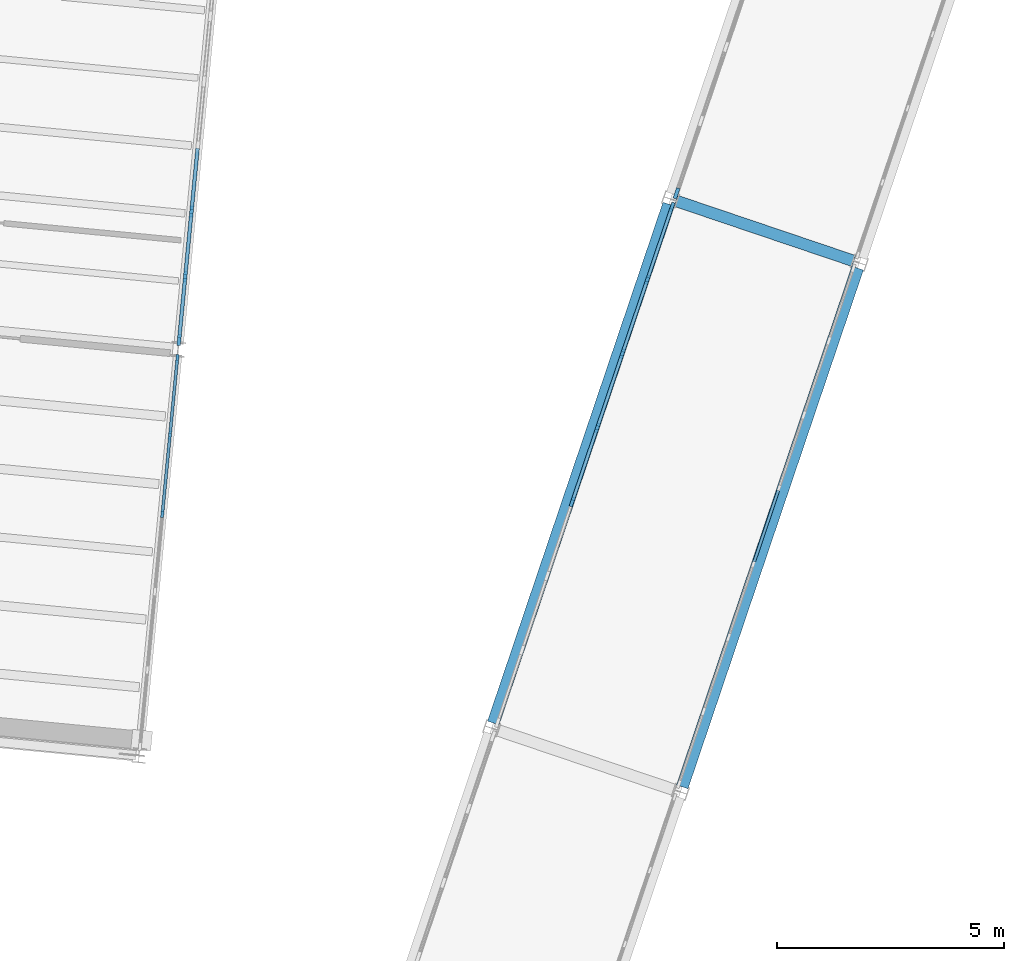
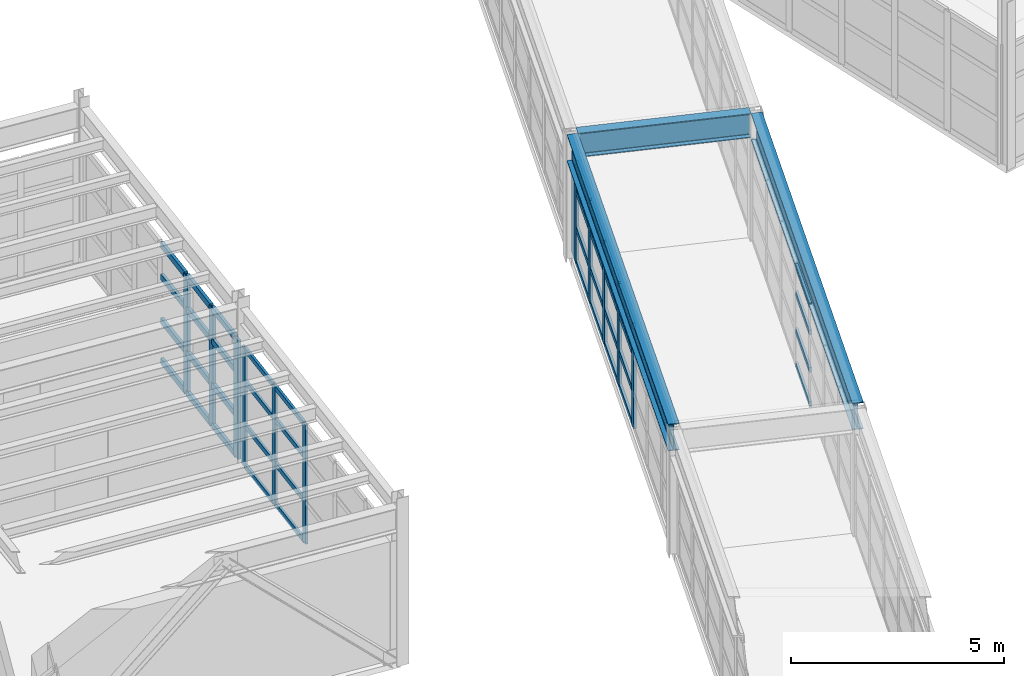
# One storey, part 49 of 102: 52 members, 3 beams, 5 elements without a shape of their own.
"""IFC4 building model written with IfcOpenShell, lengths in metres."""

from ifc_helpers import new_model, si_unit, direction, frame, origin, origin_2d, place, context, subcontext, project, spatial, rectangle, i_section, extrude, material, layer, layer_set, material_profile, profile_set, type_object, element, aggregate, save


model = new_model("IFC4")

# Units and contexts
model_context = context("Model", 3, precision=1e-05, world=origin(), true_north=direction((0.0, 1.0)))
body_context = subcontext(model_context, "Body", "Model", "MODEL_VIEW")
ifc_project = project(units=[si_unit("LENGTHUNIT", "METRE"), si_unit("AREAUNIT", "SQUARE_METRE"), si_unit("VOLUMEUNIT", "CUBIC_METRE"), si_unit("PLANEANGLEUNIT", "RADIAN"), si_unit("MASSUNIT", "GRAM", prefix="KILO")], contexts=[model_context])

# Site, building, storey
site_placement = place(None, origin())
site = spatial("IfcSite", under=ifc_project, at=site_placement, CompositionType="ELEMENT")
building_placement = place(site_placement, origin())
building = spatial("IfcBuilding", under=site, at=building_placement, Name="Vireo Bluff Cable Station", CompositionType="ELEMENT")
storey_placement = place(building_placement, frame((0.0, 0.0, 9.60009765625)))
storey = spatial("IfcBuildingStorey", under=building, at=storey_placement, Name="L02", CompositionType="ELEMENT", Elevation=9.60009765625)

# Curtain wall, members
ifc_material_1 = material(Name="Anodized Aluminium 6063-T6", Category="aluminium")
ifc_layer_1 = layer(ifc_material_1, 0.179931640625, Name="Anodized Aluminium 6063-T6")
ifc_layer_set_1 = layer_set([ifc_layer_1], Name="Anodized Aluminium 6063-T6")
curtain_wall_type_1 = type_object("IfcCurtainWallType", Name="CW-UNIT-1650", PredefinedType="USERDEFINED", material=ifc_layer_set_1)
curtain_wall_1_placement = place(storey_placement, origin())
curtain_wall_1 = element("IfcCurtainWall", 1, at=curtain_wall_1_placement, inside=storey, type_object=curtain_wall_type_1, Name="V3 L02 east curtain wall CW-080", ObjectType="UNITISED CURTAIN WALL", PredefinedType="USERDEFINED")
ifc_material_profile_1 = material_profile(ifc_material_1, rectangle(XDim=0.06494140625, YDim=0.179931640625, at=origin_2d()), Name="ALU-M-65X180")
ifc_profile_set_1 = profile_set([ifc_material_profile_1], Name="Anodized Aluminium 6063-T6")
member_type_1 = type_object("IfcMemberType", Name="CWM-01", PredefinedType="MULLION", material=ifc_profile_set_1)
member_1_placement = place(storey_placement, frame((104.415771484375, 72.31201171875, 0.0), z_axis=(0.0, 0.0, 1.0), x_axis=(0.995396197916, -0.095845757211, 0.0)))
member_1 = element("IfcMember", 2, at=member_1_placement, type_object=member_type_1, Name="CW-080 mullion 1", PredefinedType="MULLION", context=body_context, shape_type="SweptSolid", body=[
    extrude(rectangle(XDim=0.06494140625, YDim=0.179931640625, at=origin_2d()), origin(), (0.0, 0.0, 1.0), 3.39990234375),
])
member_2_placement = place(storey_placement, frame((104.252685546875, 70.61865234375, 0.0), z_axis=(0.0, 0.0, 1.0), x_axis=(0.995396197916, -0.095845757211, 0.0)))
member_2 = element("IfcMember", 3, at=member_2_placement, type_object=member_type_1, Name="CW-080 mullion 2", PredefinedType="MULLION", context=body_context, shape_type="SweptSolid", body=[
    extrude(rectangle(XDim=0.06494140625, YDim=0.179931640625, at=origin_2d()), origin(), (0.0, 0.0, 1.0), 3.39990234375),
])
member_3_placement = place(storey_placement, frame((104.08642578125, 68.89306640625, 0.0), z_axis=(0.0, 0.0, 1.0), x_axis=(0.995396197916, -0.095845757211, 0.0)))
member_3 = element("IfcMember", 4, at=member_3_placement, type_object=member_type_1, Name="CW-080 mullion 3", PredefinedType="MULLION", context=body_context, shape_type="SweptSolid", body=[
    extrude(rectangle(XDim=0.06494140625, YDim=0.179931640625, at=origin_2d()), origin(), (0.0, 0.0, 1.0), 3.39990234375),
])

ifc_layer_2 = layer(ifc_material_1, 0.159912109375, Name="Anodized Aluminium 6063-T6")
ifc_layer_set_2 = layer_set([ifc_layer_2], Name="Anodized Aluminium 6063-T6")
curtain_wall_type_2 = type_object("IfcCurtainWallType", Name="CW-STICK-1850", PredefinedType="USERDEFINED", material=ifc_layer_set_2)
curtain_wall_2_placement = place(storey_placement, origin())
curtain_wall_2 = element("IfcCurtainWall", 5, at=curtain_wall_2_placement, inside=storey, type_object=curtain_wall_type_2, Name="SKYBR L02 HAUL-DRIVE-2R curtain wall CW-149", ObjectType="STICK CURTAIN WALL", PredefinedType="USERDEFINED")
ifc_material_profile_2 = material_profile(ifc_material_1, rectangle(XDim=0.074951171875, YDim=0.2099609375, at=origin_2d()), Name="ALU-M-75X210")
ifc_profile_set_2 = profile_set([ifc_material_profile_2], Name="Anodized Aluminium 6063-T6")
member_type_2 = type_object("IfcMemberType", Name="CWM-02", PredefinedType="MULLION", material=ifc_profile_set_2)
member_4_placement = place(storey_placement, frame((113.125, 69.14794921875, 0.0), z_axis=(0.0, 0.0, 1.0), x_axis=(-0.9472950728, 0.320362365221, 0.0)))
member_4 = element("IfcMember", 6, at=member_4_placement, type_object=member_type_2, Name="CW-149 mullion 4", PredefinedType="MULLION", context=body_context, shape_type="SweptSolid", body=[
    extrude(rectangle(XDim=0.074951171875, YDim=0.2099609375, at=origin_2d()), origin(), (0.0, 0.0, 1.0), 2.8798828125),
])
member_5_placement = place(storey_placement, frame((113.677734375, 70.782470703125, 0.0), z_axis=(0.0, 0.0, 1.0), x_axis=(-0.9472950728, 0.320362365221, 0.0)))
member_5 = element("IfcMember", 7, at=member_5_placement, type_object=member_type_2, Name="CW-149 mullion 5", PredefinedType="MULLION", context=body_context, shape_type="SweptSolid", body=[
    extrude(rectangle(XDim=0.074951171875, YDim=0.2099609375, at=origin_2d()), origin(), (0.0, 0.0, 1.0), 2.8798828125),
])
member_6_placement = place(storey_placement, frame((114.230712890625, 72.417236328125, 0.0), z_axis=(0.0, 0.0, 1.0), x_axis=(-0.9472950728, 0.320362365221, 0.0)))
member_6 = element("IfcMember", 8, at=member_6_placement, type_object=member_type_2, Name="CW-149 mullion 6", PredefinedType="MULLION", context=body_context, shape_type="SweptSolid", body=[
    extrude(rectangle(XDim=0.074951171875, YDim=0.2099609375, at=origin_2d()), origin(), (0.0, 0.0, 1.0), 2.8798828125),
])
member_7_placement = place(storey_placement, frame((114.783447265625, 74.052001953125, 0.0), z_axis=(0.0, 0.0, 1.0), x_axis=(-0.9472950728, 0.320362365221, 0.0)))
member_7 = element("IfcMember", 9, at=member_7_placement, type_object=member_type_2, Name="CW-149 mullion 7", PredefinedType="MULLION", context=body_context, shape_type="SweptSolid", body=[
    extrude(rectangle(XDim=0.074951171875, YDim=0.2099609375, at=origin_2d()), origin(), (0.0, 0.0, 1.0), 2.8798828125),
])
member_8_placement = place(storey_placement, frame((115.32421875, 75.651123046875, 0.0), z_axis=(0.0, 0.0, 1.0), x_axis=(-0.9472950728, 0.320362365221, 0.0)))
member_8 = element("IfcMember", 10, at=member_8_placement, type_object=member_type_2, Name="CW-149 mullion 8", PredefinedType="MULLION", context=body_context, shape_type="SweptSolid", body=[
    extrude(rectangle(XDim=0.074951171875, YDim=0.2099609375, at=origin_2d()), origin(), (0.0, 0.0, 1.0), 2.8798828125),
])

ifc_layer_3 = layer(ifc_material_1, 0.179931640625, Name="Anodized Aluminium 6063-T6")
ifc_layer_set_3 = layer_set([ifc_layer_3], Name="Anodized Aluminium 6063-T6")
curtain_wall_type_3 = type_object("IfcCurtainWallType", Name="CW-UNIT-1500", PredefinedType="USERDEFINED", material=ifc_layer_set_3)
curtain_wall_3_placement = place(storey_placement, origin())
curtain_wall_3 = element("IfcCurtainWall", 11, at=curtain_wall_3_placement, inside=storey, type_object=curtain_wall_type_3, Name="V3 L02 east curtain wall CW-079", ObjectType="UNITISED CURTAIN WALL", PredefinedType="USERDEFINED")
ifc_material_profile_3 = material_profile(ifc_material_1, rectangle(XDim=0.080078125, YDim=0.239990234375, at=origin_2d()), Name="ALU-M-80X240")
ifc_profile_set_3 = profile_set([ifc_material_profile_3], Name="Anodized Aluminium 6063-T6")
member_type_3 = type_object("IfcMemberType", Name="CWM-04", PredefinedType="MULLION", material=ifc_profile_set_3)
member_9_placement = place(storey_placement, frame((104.7275390625, 75.55078125, 0.0), z_axis=(0.0, 0.0, 1.0), x_axis=(0.995396201313, -0.095845721926, 0.0)))
member_9 = element("IfcMember", 12, at=member_9_placement, type_object=member_type_3, Name="CW-079 mullion 5", PredefinedType="MULLION", context=body_context, shape_type="SweptSolid", body=[
    extrude(rectangle(XDim=0.080078125, YDim=0.239990234375, at=origin_2d()), origin(), (0.0, 0.0, 1.0), 3.39990234375),
])
member_10_placement = place(storey_placement, frame((104.58935546875, 74.115234375, 0.0), z_axis=(0.0, 0.0, 1.0), x_axis=(0.995396201313, -0.095845721926, 0.0)))
member_10 = element("IfcMember", 13, at=member_10_placement, type_object=member_type_3, Name="CW-079 mullion 6", PredefinedType="MULLION", context=body_context, shape_type="SweptSolid", body=[
    extrude(rectangle(XDim=0.080078125, YDim=0.239990234375, at=origin_2d()), origin(), (0.0, 0.0, 1.0), 3.39990234375),
])
member_11_placement = place(storey_placement, frame((104.454833984375, 72.719482421875, 0.0), z_axis=(0.0, 0.0, 1.0), x_axis=(0.995396201313, -0.095845721926, 0.0)))
member_11 = element("IfcMember", 14, at=member_11_placement, type_object=member_type_3, Name="CW-079 mullion 7", PredefinedType="MULLION", context=body_context, shape_type="SweptSolid", body=[
    extrude(rectangle(XDim=0.080078125, YDim=0.239990234375, at=origin_2d()), origin(), (0.0, 0.0, 1.0), 3.39990234375),
])

# Curtain wall, member
curtain_wall_4_placement = place(storey_placement, origin())
curtain_wall_4 = element("IfcCurtainWall", 15, at=curtain_wall_4_placement, inside=storey, type_object=curtain_wall_type_2, Name="SKYBR L02 HAUL-DRIVE-3R curtain wall CW-151", ObjectType="STICK CURTAIN WALL", PredefinedType="USERDEFINED")
member_12_placement = place(storey_placement, frame((115.426025390625, 75.951904296875, 0.0), z_axis=(0.0, 0.0, 1.0), x_axis=(-0.947297996715, 0.320353719222, 0.0)))
member_12 = element("IfcMember", 16, at=member_12_placement, type_object=member_type_3, Name="CW-151 mullion 1", PredefinedType="MULLION", context=body_context, shape_type="SweptSolid", body=[
    extrude(rectangle(XDim=0.080078125, YDim=0.239990234375, at=origin_2d()), origin(), (0.0, 0.0, 1.0), 2.8798828125),
])
aggregate(curtain_wall_4, [member_12])

# Member
ifc_material_profile_4 = material_profile(ifc_material_1, rectangle(XDim=0.06494140625, YDim=0.139892578125, at=origin_2d()), Name="ALU-T-65X140")
ifc_profile_set_4 = profile_set([ifc_material_profile_4], Name="Anodized Aluminium 6063-T6")
member_type_4 = type_object("IfcMemberType", Name="CWT-01", PredefinedType="USERDEFINED", material=ifc_profile_set_4)
member_13_placement = place(storey_placement, frame((104.41259765625, 72.279541015625, 0.032470703125), z_axis=(-0.095809089258, -0.995399727956, 0.0), x_axis=(0.995399727956, -0.095809089258, 0.0)))
member_13 = element("IfcMember", 17, at=member_13_placement, type_object=member_type_4, Name="CW-080 transom 1.1", ObjectType="TRANSOM", PredefinedType="USERDEFINED", context=body_context, shape_type="SweptSolid", body=[
    extrude(rectangle(XDim=0.06494140625, YDim=0.139892578125, at=origin_2d()), origin(), (0.0, 0.0, 1.0), 1.635986328125),
])

member_14_placement = place(storey_placement, frame((104.41259765625, 72.279541015625, 1.18994140625), z_axis=(-0.095809089258, -0.995399727956, 0.0), x_axis=(0.995399727956, -0.095809089258, 0.0)))
member_14 = element("IfcMember", 18, at=member_14_placement, type_object=member_type_4, Name="CW-080 transom 1.2", ObjectType="TRANSOM", PredefinedType="USERDEFINED", context=body_context, shape_type="SweptSolid", body=[
    extrude(rectangle(XDim=0.06494140625, YDim=0.139892578125, at=origin_2d()), origin(), (0.0, 0.0, 1.0), 1.635986328125),
])

member_15_placement = place(storey_placement, frame((104.41259765625, 72.279541015625, 2.447998046875), z_axis=(-0.095809089258, -0.995399727956, 0.0), x_axis=(0.995399727956, -0.095809089258, 0.0)))
member_15 = element("IfcMember", 19, at=member_15_placement, type_object=member_type_4, Name="CW-080 transom 1.3", ObjectType="TRANSOM", PredefinedType="USERDEFINED", context=body_context, shape_type="SweptSolid", body=[
    extrude(rectangle(XDim=0.06494140625, YDim=0.139892578125, at=origin_2d()), origin(), (0.0, 0.0, 1.0), 1.635986328125),
])

member_16_placement = place(storey_placement, frame((104.41259765625, 72.279541015625, 3.367431640625), z_axis=(-0.095809089258, -0.995399727956, 0.0), x_axis=(0.995399727956, -0.095809089258, 0.0)))
member_16 = element("IfcMember", 20, at=member_16_placement, type_object=member_type_4, Name="CW-080 transom 1.4", ObjectType="TRANSOM", PredefinedType="USERDEFINED", context=body_context, shape_type="SweptSolid", body=[
    extrude(rectangle(XDim=0.06494140625, YDim=0.139892578125, at=origin_2d()), origin(), (0.0, 0.0, 1.0), 1.635986328125),
])

member_17_placement = place(storey_placement, frame((104.24951171875, 70.586181640625, 0.032470703125), z_axis=(-0.095837866715, -0.995396957652, 0.0), x_axis=(0.995396957652, -0.095837866715, 0.0)))
member_17 = element("IfcMember", 21, at=member_17_placement, type_object=member_type_4, Name="CW-080 transom 2.1", ObjectType="TRANSOM", PredefinedType="USERDEFINED", context=body_context, shape_type="SweptSolid", body=[
    extrude(rectangle(XDim=0.06494140625, YDim=0.139892578125, at=origin_2d()), origin(), (0.0, 0.0, 1.0), 1.66845703125),
])

member_18_placement = place(storey_placement, frame((104.24951171875, 70.586181640625, 1.18994140625), z_axis=(-0.095837866715, -0.995396957652, 0.0), x_axis=(0.995396957652, -0.095837866715, 0.0)))
member_18 = element("IfcMember", 22, at=member_18_placement, type_object=member_type_4, Name="CW-080 transom 2.2", ObjectType="TRANSOM", PredefinedType="USERDEFINED", context=body_context, shape_type="SweptSolid", body=[
    extrude(rectangle(XDim=0.06494140625, YDim=0.139892578125, at=origin_2d()), origin(), (0.0, 0.0, 1.0), 1.66845703125),
])

member_19_placement = place(storey_placement, frame((104.24951171875, 70.586181640625, 2.447998046875), z_axis=(-0.095837866715, -0.995396957652, 0.0), x_axis=(0.995396957652, -0.095837866715, 0.0)))
member_19 = element("IfcMember", 23, at=member_19_placement, type_object=member_type_4, Name="CW-080 transom 2.3", ObjectType="TRANSOM", PredefinedType="USERDEFINED", context=body_context, shape_type="SweptSolid", body=[
    extrude(rectangle(XDim=0.06494140625, YDim=0.139892578125, at=origin_2d()), origin(), (0.0, 0.0, 1.0), 1.66845703125),
])

member_20_placement = place(storey_placement, frame((104.24951171875, 70.586181640625, 3.367431640625), z_axis=(-0.095837866715, -0.995396957652, 0.0), x_axis=(0.995396957652, -0.095837866715, 0.0)))
member_20 = element("IfcMember", 24, at=member_20_placement, type_object=member_type_4, Name="CW-080 transom 2.4", ObjectType="TRANSOM", PredefinedType="USERDEFINED", context=body_context, shape_type="SweptSolid", body=[
    extrude(rectangle(XDim=0.06494140625, YDim=0.139892578125, at=origin_2d()), origin(), (0.0, 0.0, 1.0), 1.66845703125),
])

aggregate(curtain_wall_1, [member_1, member_2, member_3, member_13, member_14, member_15, member_16, member_17, member_18, member_19, member_20])

# Curtain wall, members
ifc_layer_4 = layer(ifc_material_1, 0.159912109375, Name="Anodized Aluminium 6063-T6")
ifc_layer_set_4 = layer_set([ifc_layer_4], Name="Anodized Aluminium 6063-T6")
curtain_wall_type_4 = type_object("IfcCurtainWallType", Name="CW-STICK-1750", PredefinedType="USERDEFINED", material=ifc_layer_set_4)
curtain_wall_5_placement = place(storey_placement, origin())
curtain_wall_5 = element("IfcCurtainWall", 25, at=curtain_wall_5_placement, inside=storey, type_object=curtain_wall_type_4, Name="SKYBR L02 HAUL-DRIVE-2L curtain wall CW-148", ObjectType="STICK CURTAIN WALL", PredefinedType="USERDEFINED")
member_21_placement = place(storey_placement, frame((117.13671875, 67.825439453125, 0.032470703125), z_axis=(0.320370895193, 0.947292188036, 0.0), x_axis=(-0.947292188036, 0.320370895193, 0.0)))
member_21 = element("IfcMember", 26, at=member_21_placement, type_object=member_type_4, Name="CW-148 transom 4.1", ObjectType="TRANSOM", PredefinedType="USERDEFINED", context=body_context, shape_type="SweptSolid", body=[
    extrude(rectangle(XDim=0.06494140625, YDim=0.139892578125, at=origin_2d()), origin(), (0.0, 0.0, 1.0), 1.660400390625),
])
member_22_placement = place(storey_placement, frame((117.13671875, 67.825439453125, 1.0078125), z_axis=(0.320370895193, 0.947292188036, 0.0), x_axis=(-0.947292188036, 0.320370895193, 0.0)))
member_22 = element("IfcMember", 27, at=member_22_placement, type_object=member_type_4, Name="CW-148 transom 4.2", ObjectType="TRANSOM", PredefinedType="USERDEFINED", context=body_context, shape_type="SweptSolid", body=[
    extrude(rectangle(XDim=0.06494140625, YDim=0.139892578125, at=origin_2d()), origin(), (0.0, 0.0, 1.0), 1.660400390625),
])
member_23_placement = place(storey_placement, frame((117.13671875, 67.825439453125, 2.073486328125), z_axis=(0.320370895193, 0.947292188036, 0.0), x_axis=(-0.947292188036, 0.320370895193, 0.0)))
member_23 = element("IfcMember", 28, at=member_23_placement, type_object=member_type_4, Name="CW-148 transom 4.3", ObjectType="TRANSOM", PredefinedType="USERDEFINED", context=body_context, shape_type="SweptSolid", body=[
    extrude(rectangle(XDim=0.06494140625, YDim=0.139892578125, at=origin_2d()), origin(), (0.0, 0.0, 1.0), 1.660400390625),
])
member_24_placement = place(storey_placement, frame((117.13671875, 67.825439453125, 2.847412109375), z_axis=(0.320370895193, 0.947292188036, 0.0), x_axis=(-0.947292188036, 0.320370895193, 0.0)))
member_24 = element("IfcMember", 29, at=member_24_placement, type_object=member_type_4, Name="CW-148 transom 4.4", ObjectType="TRANSOM", PredefinedType="USERDEFINED", context=body_context, shape_type="SweptSolid", body=[
    extrude(rectangle(XDim=0.06494140625, YDim=0.139892578125, at=origin_2d()), origin(), (0.0, 0.0, 1.0), 1.660400390625),
])
aggregate(curtain_wall_5, [member_21, member_22, member_23, member_24])

# Member
ifc_material_profile_5 = material_profile(ifc_material_1, rectangle(XDim=0.074951171875, YDim=0.159912109375, at=origin_2d()), Name="ALU-T-75X160")
ifc_profile_set_5 = profile_set([ifc_material_profile_5], Name="Anodized Aluminium 6063-T6")
member_type_5 = type_object("IfcMemberType", Name="CWT-02", PredefinedType="USERDEFINED", material=ifc_profile_set_5)
member_25_placement = place(storey_placement, frame((113.136962890625, 69.183349609375, 0.037353515625), z_axis=(0.320351181812, 0.947298854803, 0.0), x_axis=(-0.947298854803, 0.320351181812, 0.0)))
member_25 = element("IfcMember", 30, at=member_25_placement, type_object=member_type_5, Name="CW-149 transom 4.1", ObjectType="TRANSOM", PredefinedType="USERDEFINED", context=body_context, shape_type="SweptSolid", body=[
    extrude(rectangle(XDim=0.074951171875, YDim=0.159912109375, at=origin_2d()), origin(), (0.0, 0.0, 1.0), 1.650634765625),
])

member_26_placement = place(storey_placement, frame((113.136962890625, 69.183349609375, 1.0078125), z_axis=(0.320351181812, 0.947298854803, 0.0), x_axis=(-0.947298854803, 0.320351181812, 0.0)))
member_26 = element("IfcMember", 31, at=member_26_placement, type_object=member_type_5, Name="CW-149 transom 4.2", ObjectType="TRANSOM", PredefinedType="USERDEFINED", context=body_context, shape_type="SweptSolid", body=[
    extrude(rectangle(XDim=0.074951171875, YDim=0.159912109375, at=origin_2d()), origin(), (0.0, 0.0, 1.0), 1.650634765625),
])

member_27_placement = place(storey_placement, frame((113.136962890625, 69.183349609375, 2.073486328125), z_axis=(0.320351181812, 0.947298854803, 0.0), x_axis=(-0.947298854803, 0.320351181812, 0.0)))
member_27 = element("IfcMember", 32, at=member_27_placement, type_object=member_type_5, Name="CW-149 transom 4.3", ObjectType="TRANSOM", PredefinedType="USERDEFINED", context=body_context, shape_type="SweptSolid", body=[
    extrude(rectangle(XDim=0.074951171875, YDim=0.159912109375, at=origin_2d()), origin(), (0.0, 0.0, 1.0), 1.650634765625),
])

member_28_placement = place(storey_placement, frame((113.136962890625, 69.183349609375, 2.84228515625), z_axis=(0.320351181812, 0.947298854803, 0.0), x_axis=(-0.947298854803, 0.320351181812, 0.0)))
member_28 = element("IfcMember", 33, at=member_28_placement, type_object=member_type_5, Name="CW-149 transom 4.4", ObjectType="TRANSOM", PredefinedType="USERDEFINED", context=body_context, shape_type="SweptSolid", body=[
    extrude(rectangle(XDim=0.074951171875, YDim=0.159912109375, at=origin_2d()), origin(), (0.0, 0.0, 1.0), 1.650634765625),
])

member_29_placement = place(storey_placement, frame((113.68994140625, 70.818115234375, 0.037353515625), z_axis=(0.320396070673, 0.947283673404, 0.0), x_axis=(-0.947283673404, 0.320396070673, 0.0)))
member_29 = element("IfcMember", 34, at=member_29_placement, type_object=member_type_5, Name="CW-149 transom 5.1", ObjectType="TRANSOM", PredefinedType="USERDEFINED", context=body_context, shape_type="SweptSolid", body=[
    extrude(rectangle(XDim=0.074951171875, YDim=0.159912109375, at=origin_2d()), origin(), (0.0, 0.0, 1.0), 1.650390625),
])

member_30_placement = place(storey_placement, frame((113.68994140625, 70.818115234375, 1.0078125), z_axis=(0.320396070673, 0.947283673404, 0.0), x_axis=(-0.947283673404, 0.320396070673, 0.0)))
member_30 = element("IfcMember", 35, at=member_30_placement, type_object=member_type_5, Name="CW-149 transom 5.2", ObjectType="TRANSOM", PredefinedType="USERDEFINED", context=body_context, shape_type="SweptSolid", body=[
    extrude(rectangle(XDim=0.074951171875, YDim=0.159912109375, at=origin_2d()), origin(), (0.0, 0.0, 1.0), 1.650390625),
])

member_31_placement = place(storey_placement, frame((113.68994140625, 70.818115234375, 2.073486328125), z_axis=(0.320396070673, 0.947283673404, 0.0), x_axis=(-0.947283673404, 0.320396070673, 0.0)))
member_31 = element("IfcMember", 36, at=member_31_placement, type_object=member_type_5, Name="CW-149 transom 5.3", ObjectType="TRANSOM", PredefinedType="USERDEFINED", context=body_context, shape_type="SweptSolid", body=[
    extrude(rectangle(XDim=0.074951171875, YDim=0.159912109375, at=origin_2d()), origin(), (0.0, 0.0, 1.0), 1.650390625),
])

member_32_placement = place(storey_placement, frame((113.68994140625, 70.818115234375, 2.84228515625), z_axis=(0.320396070673, 0.947283673404, 0.0), x_axis=(-0.947283673404, 0.320396070673, 0.0)))
member_32 = element("IfcMember", 37, at=member_32_placement, type_object=member_type_5, Name="CW-149 transom 5.4", ObjectType="TRANSOM", PredefinedType="USERDEFINED", context=body_context, shape_type="SweptSolid", body=[
    extrude(rectangle(XDim=0.074951171875, YDim=0.159912109375, at=origin_2d()), origin(), (0.0, 0.0, 1.0), 1.650390625),
])

member_33_placement = place(storey_placement, frame((114.24267578125, 72.45263671875, 0.037353515625), z_axis=(0.320351181812, 0.947298854803, 0.0), x_axis=(-0.947298854803, 0.320351181812, 0.0)))
member_33 = element("IfcMember", 38, at=member_33_placement, type_object=member_type_5, Name="CW-149 transom 6.1", ObjectType="TRANSOM", PredefinedType="USERDEFINED", context=body_context, shape_type="SweptSolid", body=[
    extrude(rectangle(XDim=0.074951171875, YDim=0.159912109375, at=origin_2d()), origin(), (0.0, 0.0, 1.0), 1.650634765625),
])

member_34_placement = place(storey_placement, frame((114.24267578125, 72.45263671875, 1.0078125), z_axis=(0.320351181812, 0.947298854803, 0.0), x_axis=(-0.947298854803, 0.320351181812, 0.0)))
member_34 = element("IfcMember", 39, at=member_34_placement, type_object=member_type_5, Name="CW-149 transom 6.2", ObjectType="TRANSOM", PredefinedType="USERDEFINED", context=body_context, shape_type="SweptSolid", body=[
    extrude(rectangle(XDim=0.074951171875, YDim=0.159912109375, at=origin_2d()), origin(), (0.0, 0.0, 1.0), 1.650634765625),
])

member_35_placement = place(storey_placement, frame((114.24267578125, 72.45263671875, 2.073486328125), z_axis=(0.320351181812, 0.947298854803, 0.0), x_axis=(-0.947298854803, 0.320351181812, 0.0)))
member_35 = element("IfcMember", 40, at=member_35_placement, type_object=member_type_5, Name="CW-149 transom 6.3", ObjectType="TRANSOM", PredefinedType="USERDEFINED", context=body_context, shape_type="SweptSolid", body=[
    extrude(rectangle(XDim=0.074951171875, YDim=0.159912109375, at=origin_2d()), origin(), (0.0, 0.0, 1.0), 1.650634765625),
])

member_36_placement = place(storey_placement, frame((114.24267578125, 72.45263671875, 2.84228515625), z_axis=(0.320351181812, 0.947298854803, 0.0), x_axis=(-0.947298854803, 0.320351181812, 0.0)))
member_36 = element("IfcMember", 41, at=member_36_placement, type_object=member_type_5, Name="CW-149 transom 6.4", ObjectType="TRANSOM", PredefinedType="USERDEFINED", context=body_context, shape_type="SweptSolid", body=[
    extrude(rectangle(XDim=0.074951171875, YDim=0.159912109375, at=origin_2d()), origin(), (0.0, 0.0, 1.0), 1.650634765625),
])

member_37_placement = place(storey_placement, frame((114.79541015625, 74.08740234375, 0.037353515625), z_axis=(0.320401881435, 0.947281708032, 0.0), x_axis=(-0.947281708032, 0.320401881435, 0.0)))
member_37 = element("IfcMember", 42, at=member_37_placement, type_object=member_type_5, Name="CW-149 transom 7.1", ObjectType="TRANSOM", PredefinedType="USERDEFINED", context=body_context, shape_type="SweptSolid", body=[
    extrude(rectangle(XDim=0.074951171875, YDim=0.159912109375, at=origin_2d()), origin(), (0.0, 0.0, 1.0), 1.613037109375),
])

member_38_placement = place(storey_placement, frame((114.79541015625, 74.08740234375, 1.0078125), z_axis=(0.320401881435, 0.947281708032, 0.0), x_axis=(-0.947281708032, 0.320401881435, 0.0)))
member_38 = element("IfcMember", 43, at=member_38_placement, type_object=member_type_5, Name="CW-149 transom 7.2", ObjectType="TRANSOM", PredefinedType="USERDEFINED", context=body_context, shape_type="SweptSolid", body=[
    extrude(rectangle(XDim=0.074951171875, YDim=0.159912109375, at=origin_2d()), origin(), (0.0, 0.0, 1.0), 1.613037109375),
])

member_39_placement = place(storey_placement, frame((114.79541015625, 74.08740234375, 2.073486328125), z_axis=(0.320401881435, 0.947281708032, 0.0), x_axis=(-0.947281708032, 0.320401881435, 0.0)))
member_39 = element("IfcMember", 44, at=member_39_placement, type_object=member_type_5, Name="CW-149 transom 7.3", ObjectType="TRANSOM", PredefinedType="USERDEFINED", context=body_context, shape_type="SweptSolid", body=[
    extrude(rectangle(XDim=0.074951171875, YDim=0.159912109375, at=origin_2d()), origin(), (0.0, 0.0, 1.0), 1.613037109375),
])

member_40_placement = place(storey_placement, frame((114.79541015625, 74.08740234375, 2.84228515625), z_axis=(0.320401881435, 0.947281708032, 0.0), x_axis=(-0.947281708032, 0.320401881435, 0.0)))
member_40 = element("IfcMember", 45, at=member_40_placement, type_object=member_type_5, Name="CW-149 transom 7.4", ObjectType="TRANSOM", PredefinedType="USERDEFINED", context=body_context, shape_type="SweptSolid", body=[
    extrude(rectangle(XDim=0.074951171875, YDim=0.159912109375, at=origin_2d()), origin(), (0.0, 0.0, 1.0), 1.613037109375),
])

aggregate(curtain_wall_2, [member_4, member_5, member_6, member_7, member_8, member_25, member_26, member_27, member_28, member_29, member_30, member_31, member_32, member_33, member_34, member_35, member_36, member_37, member_38, member_39, member_40])

ifc_material_profile_6 = material_profile(ifc_material_1, rectangle(XDim=0.080078125, YDim=0.175048828125, at=origin_2d()), Name="ALU-T-80X175")
ifc_profile_set_6 = profile_set([ifc_material_profile_6], Name="Anodized Aluminium 6063-T6")
member_type_6 = type_object("IfcMemberType", Name="CWT-04", PredefinedType="USERDEFINED", material=ifc_profile_set_6)
member_41_placement = place(storey_placement, frame((104.862060546875, 76.946533203125, 0.039794921875), z_axis=(-0.095883154305, -0.995392596276, 0.0), x_axis=(0.995392596276, -0.095883154305, 0.0)))
member_41 = element("IfcMember", 46, at=member_41_placement, type_object=member_type_6, Name="CW-079 transom 4.1", ObjectType="TRANSOM", PredefinedType="USERDEFINED", context=body_context, shape_type="SweptSolid", body=[
    extrude(rectangle(XDim=0.080078125, YDim=0.175048828125, at=origin_2d()), origin(), (0.0, 0.0, 1.0), 1.3623046875),
])

member_42_placement = place(storey_placement, frame((104.862060546875, 76.946533203125, 1.18994140625), z_axis=(-0.095883154305, -0.995392596276, 0.0), x_axis=(0.995392596276, -0.095883154305, 0.0)))
member_42 = element("IfcMember", 47, at=member_42_placement, type_object=member_type_6, Name="CW-079 transom 4.2", ObjectType="TRANSOM", PredefinedType="USERDEFINED", context=body_context, shape_type="SweptSolid", body=[
    extrude(rectangle(XDim=0.080078125, YDim=0.175048828125, at=origin_2d()), origin(), (0.0, 0.0, 1.0), 1.3623046875),
])

member_43_placement = place(storey_placement, frame((104.862060546875, 76.946533203125, 2.447998046875), z_axis=(-0.095883154305, -0.995392596276, 0.0), x_axis=(0.995392596276, -0.095883154305, 0.0)))
member_43 = element("IfcMember", 48, at=member_43_placement, type_object=member_type_6, Name="CW-079 transom 4.3", ObjectType="TRANSOM", PredefinedType="USERDEFINED", context=body_context, shape_type="SweptSolid", body=[
    extrude(rectangle(XDim=0.080078125, YDim=0.175048828125, at=origin_2d()), origin(), (0.0, 0.0, 1.0), 1.3623046875),
])

member_44_placement = place(storey_placement, frame((104.862060546875, 76.946533203125, 3.35986328125), z_axis=(-0.095883154305, -0.995392596276, 0.0), x_axis=(0.995392596276, -0.095883154305, 0.0)))
member_44 = element("IfcMember", 49, at=member_44_placement, type_object=member_type_6, Name="CW-079 transom 4.4", ObjectType="TRANSOM", PredefinedType="USERDEFINED", context=body_context, shape_type="SweptSolid", body=[
    extrude(rectangle(XDim=0.080078125, YDim=0.175048828125, at=origin_2d()), origin(), (0.0, 0.0, 1.0), 1.3623046875),
])

member_45_placement = place(storey_placement, frame((104.7236328125, 75.510986328125, 0.039794921875), z_axis=(-0.095705576562, -0.995409685815, 0.0), x_axis=(0.995409685815, -0.095705576562, 0.0)))
member_45 = element("IfcMember", 50, at=member_45_placement, type_object=member_type_6, Name="CW-079 transom 5.1", ObjectType="TRANSOM", PredefinedType="USERDEFINED", context=body_context, shape_type="SweptSolid", body=[
    extrude(rectangle(XDim=0.080078125, YDim=0.175048828125, at=origin_2d()), origin(), (0.0, 0.0, 1.0), 1.3623046875),
])

member_46_placement = place(storey_placement, frame((104.7236328125, 75.510986328125, 1.18994140625), z_axis=(-0.095705576562, -0.995409685815, 0.0), x_axis=(0.995409685815, -0.095705576562, 0.0)))
member_46 = element("IfcMember", 51, at=member_46_placement, type_object=member_type_6, Name="CW-079 transom 5.2", ObjectType="TRANSOM", PredefinedType="USERDEFINED", context=body_context, shape_type="SweptSolid", body=[
    extrude(rectangle(XDim=0.080078125, YDim=0.175048828125, at=origin_2d()), origin(), (0.0, 0.0, 1.0), 1.3623046875),
])

member_47_placement = place(storey_placement, frame((104.7236328125, 75.510986328125, 2.447998046875), z_axis=(-0.095705576562, -0.995409685815, 0.0), x_axis=(0.995409685815, -0.095705576562, 0.0)))
member_47 = element("IfcMember", 52, at=member_47_placement, type_object=member_type_6, Name="CW-079 transom 5.3", ObjectType="TRANSOM", PredefinedType="USERDEFINED", context=body_context, shape_type="SweptSolid", body=[
    extrude(rectangle(XDim=0.080078125, YDim=0.175048828125, at=origin_2d()), origin(), (0.0, 0.0, 1.0), 1.3623046875),
])

member_48_placement = place(storey_placement, frame((104.7236328125, 75.510986328125, 3.35986328125), z_axis=(-0.095705576562, -0.995409685815, 0.0), x_axis=(0.995409685815, -0.095705576562, 0.0)))
member_48 = element("IfcMember", 53, at=member_48_placement, type_object=member_type_6, Name="CW-079 transom 5.4", ObjectType="TRANSOM", PredefinedType="USERDEFINED", context=body_context, shape_type="SweptSolid", body=[
    extrude(rectangle(XDim=0.080078125, YDim=0.175048828125, at=origin_2d()), origin(), (0.0, 0.0, 1.0), 1.3623046875),
])

member_49_placement = place(storey_placement, frame((104.58544921875, 74.075439453125, 0.039794921875), z_axis=(-0.095828508372, -0.995397858639, 0.0), x_axis=(0.995397858639, -0.095828508372, 0.0)))
member_49 = element("IfcMember", 54, at=member_49_placement, type_object=member_type_6, Name="CW-079 transom 6.1", ObjectType="TRANSOM", PredefinedType="USERDEFINED", context=body_context, shape_type="SweptSolid", body=[
    extrude(rectangle(XDim=0.080078125, YDim=0.175048828125, at=origin_2d()), origin(), (0.0, 0.0, 1.0), 1.322265625),
])

member_50_placement = place(storey_placement, frame((104.58544921875, 74.075439453125, 1.18994140625), z_axis=(-0.095828508372, -0.995397858639, 0.0), x_axis=(0.995397858639, -0.095828508372, 0.0)))
member_50 = element("IfcMember", 55, at=member_50_placement, type_object=member_type_6, Name="CW-079 transom 6.2", ObjectType="TRANSOM", PredefinedType="USERDEFINED", context=body_context, shape_type="SweptSolid", body=[
    extrude(rectangle(XDim=0.080078125, YDim=0.175048828125, at=origin_2d()), origin(), (0.0, 0.0, 1.0), 1.322265625),
])

member_51_placement = place(storey_placement, frame((104.58544921875, 74.075439453125, 2.447998046875), z_axis=(-0.095828508372, -0.995397858639, 0.0), x_axis=(0.995397858639, -0.095828508372, 0.0)))
member_51 = element("IfcMember", 56, at=member_51_placement, type_object=member_type_6, Name="CW-079 transom 6.3", ObjectType="TRANSOM", PredefinedType="USERDEFINED", context=body_context, shape_type="SweptSolid", body=[
    extrude(rectangle(XDim=0.080078125, YDim=0.175048828125, at=origin_2d()), origin(), (0.0, 0.0, 1.0), 1.322265625),
])

member_52_placement = place(storey_placement, frame((104.58544921875, 74.075439453125, 3.35986328125), z_axis=(-0.095828508372, -0.995397858639, 0.0), x_axis=(0.995397858639, -0.095828508372, 0.0)))
member_52 = element("IfcMember", 57, at=member_52_placement, type_object=member_type_6, Name="CW-079 transom 6.4", ObjectType="TRANSOM", PredefinedType="USERDEFINED", context=body_context, shape_type="SweptSolid", body=[
    extrude(rectangle(XDim=0.080078125, YDim=0.175048828125, at=origin_2d()), origin(), (0.0, 0.0, 1.0), 1.322265625),
])

aggregate(curtain_wall_3, [member_9, member_10, member_11, member_41, member_42, member_43, member_44, member_45, member_46, member_47, member_48, member_49, member_50, member_51, member_52])

# Beams
ifc_material_2 = material(Name="Steel ASTM A992 Gr. 50", Category="steel")
ifc_material_profile_7 = material_profile(ifc_material_2, i_section(OverallWidth=0.257080078125, OverallDepth=0.693115234375, WebThickness=0.014404296875, FlangeThickness=0.023681640625, FilletRadius=0.014892578125, at=origin_2d()), Name="W27X114")
ifc_profile_set_7 = profile_set([ifc_material_profile_7], Name="Steel ASTM A992 Gr. 50")
beam_type_1 = type_object("IfcBeamType", Name="EXTGIR-W27X114", PredefinedType="USERDEFINED", material=ifc_profile_set_7)
beam_placement = place(storey_placement, frame((119.33447265625, 74.461181640625, 3.284912109375), z_axis=(-0.947298947098, 0.320350908892, 0.0), x_axis=(-0.320350908892, -0.947298947098, 0.0)))
element("IfcBeam", 58, at=beam_placement, inside=storey, type_object=beam_type_1, Name="HAUL-DRIVE skybridge bent cap 3 L02", ObjectType="GIRDER", PredefinedType="USERDEFINED", context=body_context, shape_type="SweptSolid", body=[
    extrude(i_section(OverallWidth=0.257080078125, OverallDepth=0.693115234375, WebThickness=0.014404296875, FlangeThickness=0.023681640625, FilletRadius=0.014892578125, at=origin_2d()), origin(), (0.0, 0.0, 1.0), 4.135986328125),
])
ifc_material_profile_8 = material_profile(ifc_material_2, i_section(OverallWidth=0.26708984375, OverallDepth=0.77001953125, WebThickness=0.015625, FlangeThickness=0.025390625, FilletRadius=0.01611328125, at=origin_2d()), Name="W30X132")
ifc_profile_set_8 = profile_set([ifc_material_profile_8], Name="Steel ASTM A992 Gr. 50")
beam_type_2 = type_object("IfcBeamType", Name="EXTGIR-W30X132", PredefinedType="USERDEFINED", material=ifc_profile_set_8)
for number, where, z_axis, x_axis, name in (
    (59, (115.55126953125, 62.8623046875, 3.25), (0.320347868719, 0.947299975196, 0.0), (-0.947299975196, 0.320347868719, 0.0), "HAUL-DRIVE skybridge roof girder 2L"),
    (60, (111.38330078125, 64.27197265625, 3.25), (0.320347868719, 0.947299975196, 0.0), (-0.947299975196, 0.320347868719, 0.0), "HAUL-DRIVE skybridge roof girder 2R"),
):
    element("IfcBeam", number, at=place(storey_placement, frame(where, z_axis=z_axis, x_axis=x_axis)), inside=storey, type_object=beam_type_2, Name=name, ObjectType="GIRDER", PredefinedType="USERDEFINED", context=body_context, shape_type="SweptSolid", body=[
        extrude(i_section(OverallWidth=0.26708984375, OverallDepth=0.77001953125, WebThickness=0.015625, FlangeThickness=0.025390625, FilletRadius=0.01611328125, at=origin_2d()), origin(), (0.0, 0.0, 1.0), 12.079345703125),
    ])

save(model, "model.ifc")
